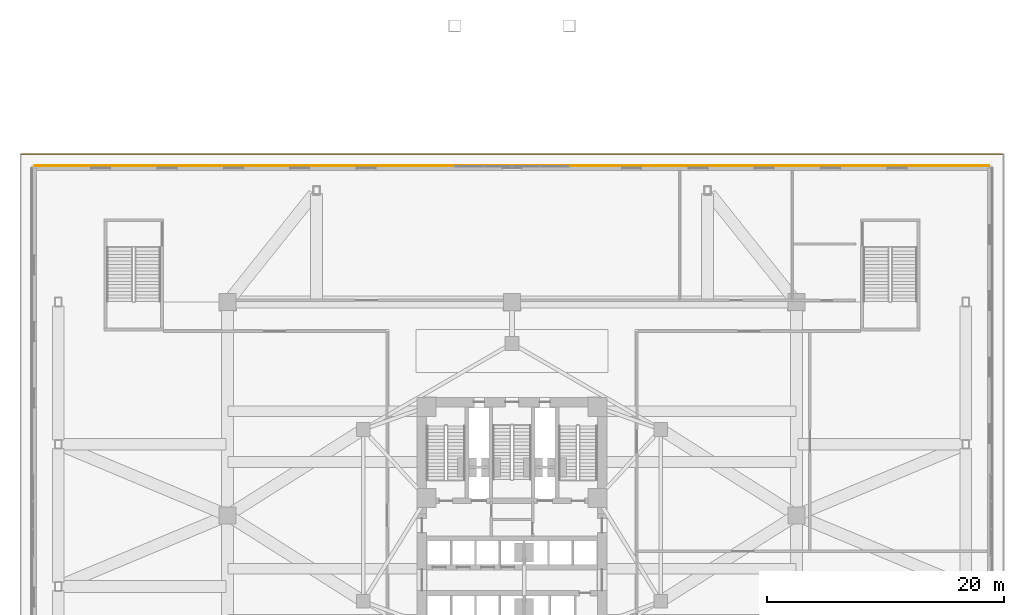
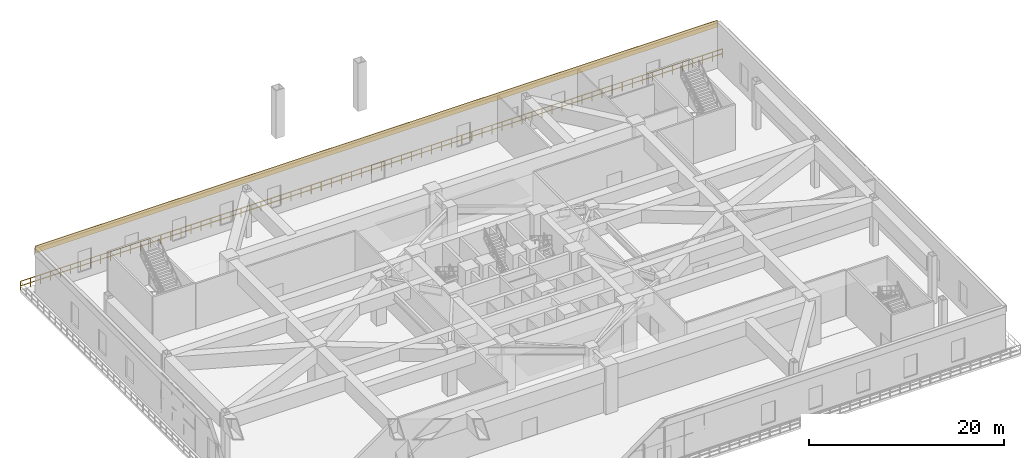
# One storey, part 22 of 25: 1 covering, 1 railing.
"""IFC4 building model written with IfcOpenShell, lengths in metres."""

from ifc_helpers import new_model, si_unit, direction, frame, origin, origin_2d, place, context, subcontext, project, spatial, polyline, rectangle, outline, extrude, material, layer, layer_set, type_object, element, save


model = new_model("IFC4")

# Units and contexts
model_context = context("Model", 3, precision=1e-05, world=origin(), true_north=direction((0.0, 1.0)))
body_context = subcontext(model_context, "Body", "Model", "MODEL_VIEW")
ifc_project = project(units=[si_unit("LENGTHUNIT", "METRE"), si_unit("AREAUNIT", "SQUARE_METRE"), si_unit("VOLUMEUNIT", "CUBIC_METRE"), si_unit("PLANEANGLEUNIT", "RADIAN"), si_unit("MASSUNIT", "GRAM", prefix="KILO")], contexts=[model_context])

# Site, building, storey
site_placement = place(None, origin())
site = spatial("IfcSite", under=ifc_project, at=site_placement, CompositionType="ELEMENT")
building_placement = place(site_placement, origin())
building = spatial("IfcBuilding", under=site, at=building_placement, Name="Apsidion Concourse Tower", CompositionType="ELEMENT")
storey_placement = place(building_placement, frame((0.0, 0.0, 11.5)))
storey = spatial("IfcBuildingStorey", under=building, at=storey_placement, Name="L02", CompositionType="ELEMENT", Elevation=11.5)

# Covering
ifc_material_1 = material(Name="Reconstituted limestone facade cladding", Category="masonry")
ifc_layer = layer(ifc_material_1, 0.080078125)
ifc_layer_set = layer_set([ifc_layer], Name="Reconstituted limestone facade cladding")
covering_type = type_object("IfcCoveringType", Name="COV-CLAD-80", PredefinedType="CLADDING", material=ifc_layer_set)
covering_placement = place(storey_placement, frame((0.0, 0.0, 4.85009765625)))
element("IfcCovering", 1, at=covering_placement, inside=storey, type_object=covering_type, Name="L02 Limestone Spandrel Cladding N", PredefinedType="CLADDING", context=body_context, shape_type="SweptSolid", body=[
    extrude(outline(polyline([(-40.300048828125, 29.47998046875), (40.300048828125, 29.47998046875), (40.300048828125, 29.56005859375), (-40.300048828125, 29.56005859375), (-40.300048828125, 29.47998046875)])), origin(), (0.0, 0.0, 1.0), 0.849853515625),
])

# Railing
ifc_material_2 = material(Name="Brushed stainless steel 316", Category="steel")
railing_type = type_object("IfcRailingType", Name="RL-BAL-1120", PredefinedType="BALUSTRADE", material=ifc_material_2)
railing_placement = place(storey_placement, frame((-41.5, 30.5, 0.0)))
element("IfcRailing", 2, at=railing_placement, inside=storey, type_object=railing_type, Name="L02 Podium Setback Terrace Balustrade 1", PredefinedType="BALUSTRADE", context=body_context, shape_type="SweptSolid", body=[
    extrude(rectangle(XDim=0.048095703125, YDim=0.048095703125, at=origin_2d()), frame((0.0, 0.0, 1.09619140625), z_axis=(1.0, 0.0, 0.0), x_axis=(0.0, 1.0, 0.0)), (0.0, 0.0, 1.0), 83.0),
    extrude(rectangle(XDim=0.048095703125, YDim=0.048095703125, at=origin_2d()), frame((0.0, 0.0, 0.5361328125), z_axis=(1.0, 0.0, 0.0), x_axis=(0.0, 1.0, 0.0)), (0.0, 0.0, 1.0), 83.0),
    extrude(rectangle(XDim=0.0419921875, YDim=0.0419921875, at=origin_2d()), origin(), (0.0, 0.0, 1.0), 1.072021484375),
    extrude(rectangle(XDim=0.0419921875, YDim=0.0419921875, at=origin_2d()), frame((1.185791015625, 0.0, 0.0)), (0.0, 0.0, 1.0), 1.072021484375),
    extrude(rectangle(XDim=0.0419921875, YDim=0.0419921875, at=origin_2d()), frame((2.371337890625, 0.0, 0.0)), (0.0, 0.0, 1.0), 1.072021484375),
    extrude(rectangle(XDim=0.0419921875, YDim=0.0419921875, at=origin_2d()), frame((3.55712890625, 0.0, 0.0)), (0.0, 0.0, 1.0), 1.072021484375),
    extrude(rectangle(XDim=0.0419921875, YDim=0.0419921875, at=origin_2d()), frame((4.742919921875, 0.0, 0.0)), (0.0, 0.0, 1.0), 1.072021484375),
    extrude(rectangle(XDim=0.0419921875, YDim=0.0419921875, at=origin_2d()), frame((5.928466796875, 0.0, 0.0)), (0.0, 0.0, 1.0), 1.072021484375),
    extrude(rectangle(XDim=0.0419921875, YDim=0.0419921875, at=origin_2d()), frame((7.1142578125, 0.0, 0.0)), (0.0, 0.0, 1.0), 1.072021484375),
    extrude(rectangle(XDim=0.0419921875, YDim=0.0419921875, at=origin_2d()), frame((8.300048828125, 0.0, 0.0)), (0.0, 0.0, 1.0), 1.072021484375),
    extrude(rectangle(XDim=0.0419921875, YDim=0.0419921875, at=origin_2d()), frame((9.485595703125, 0.0, 0.0)), (0.0, 0.0, 1.0), 1.072021484375),
    extrude(rectangle(XDim=0.0419921875, YDim=0.0419921875, at=origin_2d()), frame((10.67138671875, 0.0, 0.0)), (0.0, 0.0, 1.0), 1.072021484375),
    extrude(rectangle(XDim=0.0419921875, YDim=0.0419921875, at=origin_2d()), frame((11.857177734375, 0.0, 0.0)), (0.0, 0.0, 1.0), 1.072021484375),
    extrude(rectangle(XDim=0.0419921875, YDim=0.0419921875, at=origin_2d()), frame((13.04296875, 0.0, 0.0)), (0.0, 0.0, 1.0), 1.072021484375),
    extrude(rectangle(XDim=0.0419921875, YDim=0.0419921875, at=origin_2d()), frame((14.228515625, 0.0, 0.0)), (0.0, 0.0, 1.0), 1.072021484375),
    extrude(rectangle(XDim=0.0419921875, YDim=0.0419921875, at=origin_2d()), frame((15.414306640625, 0.0, 0.0)), (0.0, 0.0, 1.0), 1.072021484375),
    extrude(rectangle(XDim=0.0419921875, YDim=0.0419921875, at=origin_2d()), frame((16.60009765625, 0.0, 0.0)), (0.0, 0.0, 1.0), 1.072021484375),
    extrude(rectangle(XDim=0.0419921875, YDim=0.0419921875, at=origin_2d()), frame((17.78564453125, 0.0, 0.0)), (0.0, 0.0, 1.0), 1.072021484375),
    extrude(rectangle(XDim=0.0419921875, YDim=0.0419921875, at=origin_2d()), frame((18.971435546875, 0.0, 0.0)), (0.0, 0.0, 1.0), 1.072021484375),
    extrude(rectangle(XDim=0.0419921875, YDim=0.0419921875, at=origin_2d()), frame((20.1572265625, 0.0, 0.0)), (0.0, 0.0, 1.0), 1.072021484375),
    extrude(rectangle(XDim=0.0419921875, YDim=0.0419921875, at=origin_2d()), frame((21.3427734375, 0.0, 0.0)), (0.0, 0.0, 1.0), 1.072021484375),
    extrude(rectangle(XDim=0.0419921875, YDim=0.0419921875, at=origin_2d()), frame((22.528564453125, 0.0, 0.0)), (0.0, 0.0, 1.0), 1.072021484375),
    extrude(rectangle(XDim=0.0419921875, YDim=0.0419921875, at=origin_2d()), frame((23.71435546875, 0.0, 0.0)), (0.0, 0.0, 1.0), 1.072021484375),
    extrude(rectangle(XDim=0.0419921875, YDim=0.0419921875, at=origin_2d()), frame((24.89990234375, 0.0, 0.0)), (0.0, 0.0, 1.0), 1.072021484375),
    extrude(rectangle(XDim=0.0419921875, YDim=0.0419921875, at=origin_2d()), frame((26.085693359375, 0.0, 0.0)), (0.0, 0.0, 1.0), 1.072021484375),
    extrude(rectangle(XDim=0.0419921875, YDim=0.0419921875, at=origin_2d()), frame((27.271484375, 0.0, 0.0)), (0.0, 0.0, 1.0), 1.072021484375),
    extrude(rectangle(XDim=0.0419921875, YDim=0.0419921875, at=origin_2d()), frame((28.45703125, 0.0, 0.0)), (0.0, 0.0, 1.0), 1.072021484375),
    extrude(rectangle(XDim=0.0419921875, YDim=0.0419921875, at=origin_2d()), frame((29.642822265625, 0.0, 0.0)), (0.0, 0.0, 1.0), 1.072021484375),
    extrude(rectangle(XDim=0.0419921875, YDim=0.0419921875, at=origin_2d()), frame((30.82861328125, 0.0, 0.0)), (0.0, 0.0, 1.0), 1.072021484375),
    extrude(rectangle(XDim=0.0419921875, YDim=0.0419921875, at=origin_2d()), frame((32.014404296875, 0.0, 0.0)), (0.0, 0.0, 1.0), 1.072021484375),
    extrude(rectangle(XDim=0.0419921875, YDim=0.0419921875, at=origin_2d()), frame((33.199951171875, 0.0, 0.0)), (0.0, 0.0, 1.0), 1.072021484375),
    extrude(rectangle(XDim=0.0419921875, YDim=0.0419921875, at=origin_2d()), frame((34.3857421875, 0.0, 0.0)), (0.0, 0.0, 1.0), 1.072021484375),
    extrude(rectangle(XDim=0.0419921875, YDim=0.0419921875, at=origin_2d()), frame((35.571533203125, 0.0, 0.0)), (0.0, 0.0, 1.0), 1.072021484375),
    extrude(rectangle(XDim=0.0419921875, YDim=0.0419921875, at=origin_2d()), frame((36.757080078125, 0.0, 0.0)), (0.0, 0.0, 1.0), 1.072021484375),
    extrude(rectangle(XDim=0.0419921875, YDim=0.0419921875, at=origin_2d()), frame((37.94287109375, 0.0, 0.0)), (0.0, 0.0, 1.0), 1.072021484375),
    extrude(rectangle(XDim=0.0419921875, YDim=0.0419921875, at=origin_2d()), frame((39.128662109375, 0.0, 0.0)), (0.0, 0.0, 1.0), 1.072021484375),
    extrude(rectangle(XDim=0.0419921875, YDim=0.0419921875, at=origin_2d()), frame((40.314208984375, 0.0, 0.0)), (0.0, 0.0, 1.0), 1.072021484375),
    extrude(rectangle(XDim=0.0419921875, YDim=0.0419921875, at=origin_2d()), frame((41.5, 0.0, 0.0)), (0.0, 0.0, 1.0), 1.072021484375),
    extrude(rectangle(XDim=0.0419921875, YDim=0.0419921875, at=origin_2d()), frame((42.685791015625, 0.0, 0.0)), (0.0, 0.0, 1.0), 1.072021484375),
    extrude(rectangle(XDim=0.0419921875, YDim=0.0419921875, at=origin_2d()), frame((43.871337890625, 0.0, 0.0)), (0.0, 0.0, 1.0), 1.072021484375),
    extrude(rectangle(XDim=0.0419921875, YDim=0.0419921875, at=origin_2d()), frame((45.05712890625, 0.0, 0.0)), (0.0, 0.0, 1.0), 1.072021484375),
    extrude(rectangle(XDim=0.0419921875, YDim=0.0419921875, at=origin_2d()), frame((46.242919921875, 0.0, 0.0)), (0.0, 0.0, 1.0), 1.072021484375),
    extrude(rectangle(XDim=0.0419921875, YDim=0.0419921875, at=origin_2d()), frame((47.428466796875, 0.0, 0.0)), (0.0, 0.0, 1.0), 1.072021484375),
    extrude(rectangle(XDim=0.0419921875, YDim=0.0419921875, at=origin_2d()), frame((48.6142578125, 0.0, 0.0)), (0.0, 0.0, 1.0), 1.072021484375),
    extrude(rectangle(XDim=0.0419921875, YDim=0.0419921875, at=origin_2d()), frame((49.800048828125, 0.0, 0.0)), (0.0, 0.0, 1.0), 1.072021484375),
    extrude(rectangle(XDim=0.0419921875, YDim=0.0419921875, at=origin_2d()), frame((50.985595703125, 0.0, 0.0)), (0.0, 0.0, 1.0), 1.072021484375),
    extrude(rectangle(XDim=0.0419921875, YDim=0.0419921875, at=origin_2d()), frame((52.17138671875, 0.0, 0.0)), (0.0, 0.0, 1.0), 1.072021484375),
    extrude(rectangle(XDim=0.0419921875, YDim=0.0419921875, at=origin_2d()), frame((53.357177734375, 0.0, 0.0)), (0.0, 0.0, 1.0), 1.072021484375),
    extrude(rectangle(XDim=0.0419921875, YDim=0.0419921875, at=origin_2d()), frame((54.54296875, 0.0, 0.0)), (0.0, 0.0, 1.0), 1.072021484375),
    extrude(rectangle(XDim=0.0419921875, YDim=0.0419921875, at=origin_2d()), frame((55.728515625, 0.0, 0.0)), (0.0, 0.0, 1.0), 1.072021484375),
    extrude(rectangle(XDim=0.0419921875, YDim=0.0419921875, at=origin_2d()), frame((56.914306640625, 0.0, 0.0)), (0.0, 0.0, 1.0), 1.072021484375),
    extrude(rectangle(XDim=0.0419921875, YDim=0.0419921875, at=origin_2d()), frame((58.10009765625, 0.0, 0.0)), (0.0, 0.0, 1.0), 1.072021484375),
    extrude(rectangle(XDim=0.0419921875, YDim=0.0419921875, at=origin_2d()), frame((59.28564453125, 0.0, 0.0)), (0.0, 0.0, 1.0), 1.072021484375),
    extrude(rectangle(XDim=0.0419921875, YDim=0.0419921875, at=origin_2d()), frame((60.471435546875, 0.0, 0.0)), (0.0, 0.0, 1.0), 1.072021484375),
    extrude(rectangle(XDim=0.0419921875, YDim=0.0419921875, at=origin_2d()), frame((61.6572265625, 0.0, 0.0)), (0.0, 0.0, 1.0), 1.072021484375),
    extrude(rectangle(XDim=0.0419921875, YDim=0.0419921875, at=origin_2d()), frame((62.8427734375, 0.0, 0.0)), (0.0, 0.0, 1.0), 1.072021484375),
    extrude(rectangle(XDim=0.0419921875, YDim=0.0419921875, at=origin_2d()), frame((64.028564453125, 0.0, 0.0)), (0.0, 0.0, 1.0), 1.072021484375),
    extrude(rectangle(XDim=0.0419921875, YDim=0.0419921875, at=origin_2d()), frame((65.21435546875, 0.0, 0.0)), (0.0, 0.0, 1.0), 1.072021484375),
    extrude(rectangle(XDim=0.0419921875, YDim=0.0419921875, at=origin_2d()), frame((66.39990234375, 0.0, 0.0)), (0.0, 0.0, 1.0), 1.072021484375),
    extrude(rectangle(XDim=0.0419921875, YDim=0.0419921875, at=origin_2d()), frame((67.585693359375, 0.0, 0.0)), (0.0, 0.0, 1.0), 1.072021484375),
    extrude(rectangle(XDim=0.0419921875, YDim=0.0419921875, at=origin_2d()), frame((68.771484375, 0.0, 0.0)), (0.0, 0.0, 1.0), 1.072021484375),
    extrude(rectangle(XDim=0.0419921875, YDim=0.0419921875, at=origin_2d()), frame((69.95703125, 0.0, 0.0)), (0.0, 0.0, 1.0), 1.072021484375),
    extrude(rectangle(XDim=0.0419921875, YDim=0.0419921875, at=origin_2d()), frame((71.142822265625, 0.0, 0.0)), (0.0, 0.0, 1.0), 1.072021484375),
    extrude(rectangle(XDim=0.0419921875, YDim=0.0419921875, at=origin_2d()), frame((72.32861328125, 0.0, 0.0)), (0.0, 0.0, 1.0), 1.072021484375),
    extrude(rectangle(XDim=0.0419921875, YDim=0.0419921875, at=origin_2d()), frame((73.514404296875, 0.0, 0.0)), (0.0, 0.0, 1.0), 1.072021484375),
    extrude(rectangle(XDim=0.0419921875, YDim=0.0419921875, at=origin_2d()), frame((74.699951171875, 0.0, 0.0)), (0.0, 0.0, 1.0), 1.072021484375),
    extrude(rectangle(XDim=0.0419921875, YDim=0.0419921875, at=origin_2d()), frame((75.8857421875, 0.0, 0.0)), (0.0, 0.0, 1.0), 1.072021484375),
    extrude(rectangle(XDim=0.0419921875, YDim=0.0419921875, at=origin_2d()), frame((77.071533203125, 0.0, 0.0)), (0.0, 0.0, 1.0), 1.072021484375),
    extrude(rectangle(XDim=0.0419921875, YDim=0.0419921875, at=origin_2d()), frame((78.257080078125, 0.0, 0.0)), (0.0, 0.0, 1.0), 1.072021484375),
    extrude(rectangle(XDim=0.0419921875, YDim=0.0419921875, at=origin_2d()), frame((79.44287109375, 0.0, 0.0)), (0.0, 0.0, 1.0), 1.072021484375),
    extrude(rectangle(XDim=0.0419921875, YDim=0.0419921875, at=origin_2d()), frame((80.628662109375, 0.0, 0.0)), (0.0, 0.0, 1.0), 1.072021484375),
    extrude(rectangle(XDim=0.0419921875, YDim=0.0419921875, at=origin_2d()), frame((81.814208984375, 0.0, 0.0)), (0.0, 0.0, 1.0), 1.072021484375),
    extrude(rectangle(XDim=0.0419921875, YDim=0.0419921875, at=origin_2d()), frame((83.0, 0.0, 0.0)), (0.0, 0.0, 1.0), 1.072021484375),
])

save(model, "model.ifc")
